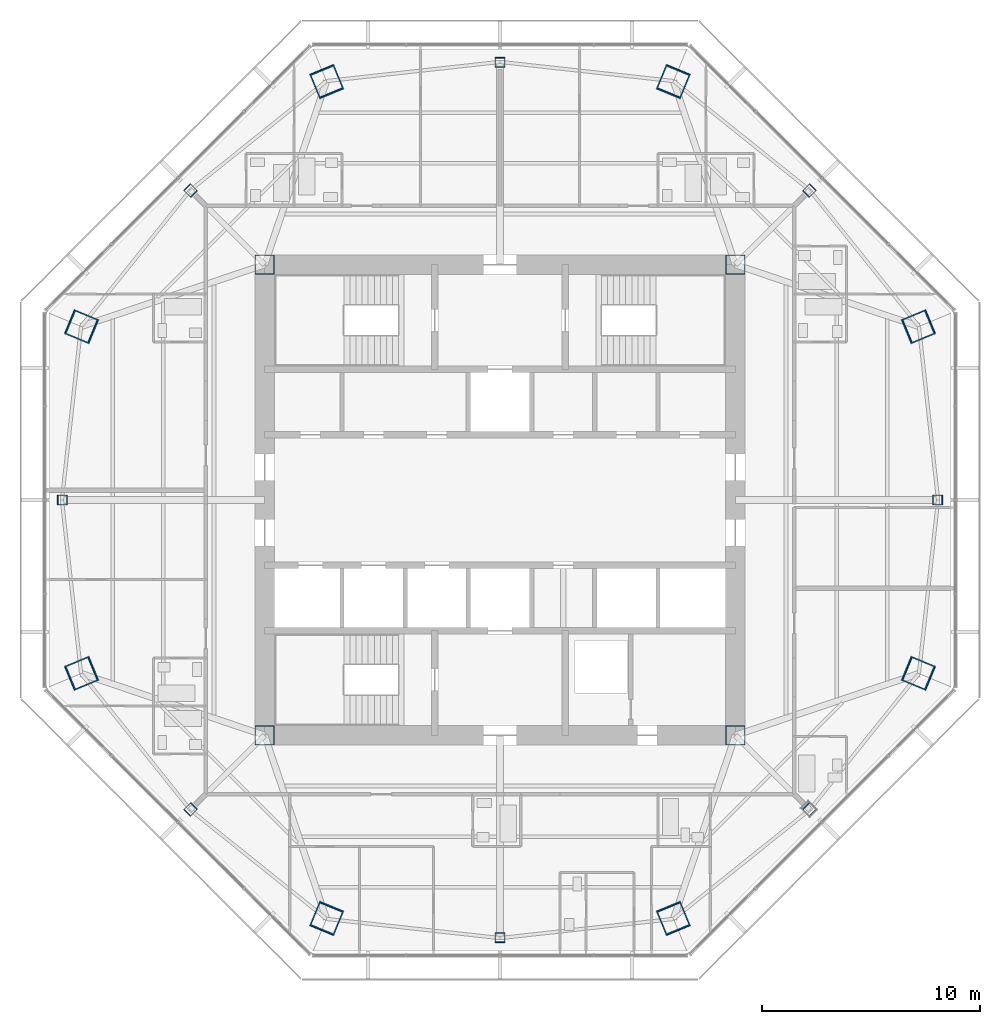
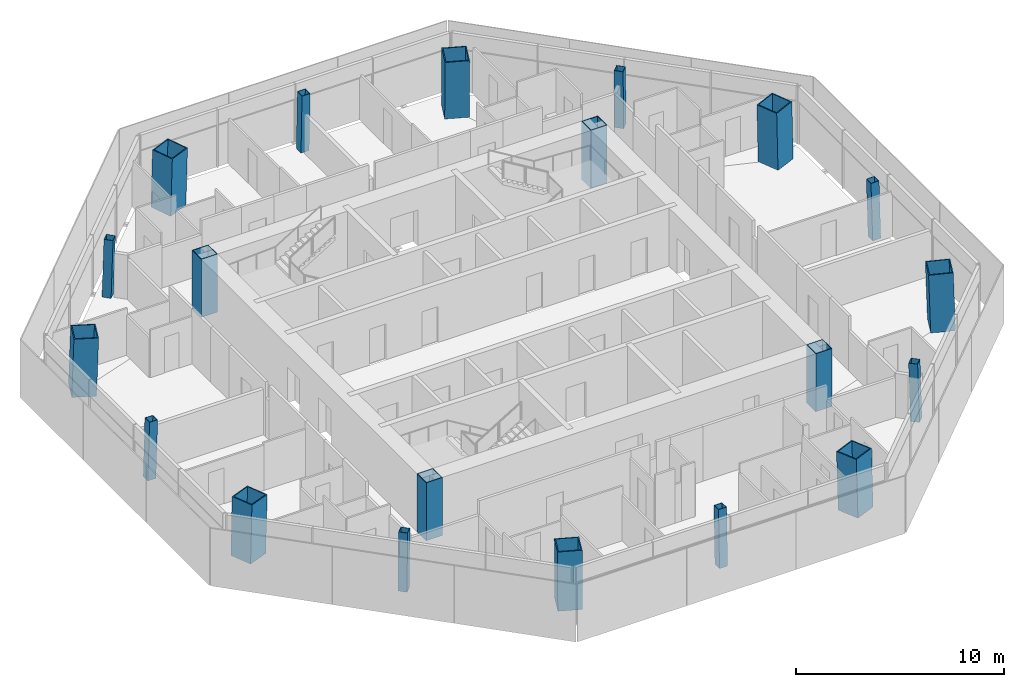
# One storey, part 1 of 14: 20 columns.
"""IFC4 building model written with IfcOpenShell, lengths in metres."""

from ifc_helpers import new_model, si_unit, direction, frame, origin, origin_2d, place, context, subcontext, project, spatial, hollow_rectangle, extrude, material, material_profile, profile_set, type_object, element, save


model = new_model("IFC4")

# Units and contexts
model_context = context("Model", 3, precision=1e-05, world=origin(), true_north=direction((0.0, 1.0)))
body_context = subcontext(model_context, "Body", "Model", "MODEL_VIEW")
ifc_project = project(units=[si_unit("LENGTHUNIT", "METRE"), si_unit("AREAUNIT", "SQUARE_METRE"), si_unit("VOLUMEUNIT", "CUBIC_METRE"), si_unit("PLANEANGLEUNIT", "RADIAN"), si_unit("MASSUNIT", "GRAM", prefix="KILO")], contexts=[model_context])

# Site, building, storey
site_placement = place(None, origin())
site = spatial("IfcSite", under=ifc_project, at=site_placement, CompositionType="ELEMENT")
building_placement = place(site_placement, origin())
building = spatial("IfcBuilding", under=site, at=building_placement, Name="Mashrafa Tower", CompositionType="ELEMENT")
storey_placement = place(building_placement, frame((0.0, 0.0, 251.60009765625)))
storey = spatial("IfcBuildingStorey", under=building, at=storey_placement, Name="L60", CompositionType="ELEMENT", Elevation=251.60009765625)

# Columns
ifc_material_1 = material(Name="Steel ASTM A572 Gr 50", Category="steel")
ifc_material_profile_1 = material_profile(ifc_material_1, hollow_rectangle(XDim=0.89990234375, YDim=0.89990234375, WallThickness=0.0400390625, at=origin_2d()), Name="BOX900X900X40")
ifc_profile_set_1 = profile_set([ifc_material_profile_1], Name="Steel ASTM A572 Gr 50")
column_type_1 = type_object("IfcColumnType", Name="Core corner column BOX900X900X40", PredefinedType="COLUMN", material=ifc_profile_set_1)
for number, where, z_axis, x_axis, name in (
    (1, (10.800048828125, 10.800048828125, 0.0), (0.0, 0.0, 1.0), (1.0, 0.0, 0.0), "Core corner column CC-NE L60"),
    (2, (-10.800048828125, 10.800048828125, 0.0), (0.0, 0.0, 1.0), (1.0, 0.0, 0.0), "Core corner column CC-NW L60"),
    (3, (-10.800048828125, -10.800048828125, 0.0), (0.0, 0.0, 1.0), (1.0, 0.0, 0.0), "Core corner column CC-SW L60"),
    (4, (10.800048828125, -10.800048828125, 0.0), (0.0, 0.0, 1.0), (1.0, 0.0, 0.0), "Core corner column CC-SE L60"),
):
    element("IfcColumn", number, at=place(storey_placement, frame(where, z_axis=z_axis, x_axis=x_axis)), inside=storey, type_object=column_type_1, Name=name, PredefinedType="COLUMN", context=body_context, shape_type="SweptSolid", body=[
        extrude(hollow_rectangle(XDim=0.89990234375, YDim=0.89990234375, WallThickness=0.0400390625, at=origin_2d()), origin(), (0.0, 0.0, 1.0), 3.39990234375),
    ])
ifc_material_2 = material(Name="Steel ASTM A572 Gr 50", Category="steel")
ifc_material_profile_2 = material_profile(ifc_material_2, hollow_rectangle(XDim=1.199951171875, YDim=1.199951171875, WallThickness=0.054931640625, at=origin_2d()), Name="BOX1200X1200X55")
ifc_profile_set_2 = profile_set([ifc_material_profile_2], Name="Steel ASTM A572 Gr 50")
column_type_2 = type_object("IfcColumnType", Name="Mega column CFST BOX1200X1200X55", PredefinedType="COLUMN", material=ifc_profile_set_2)
for number, where, z_axis, x_axis, name in (
    (5, (19.218994140625, 7.960693359375, 0.0), (-0.02827915051, -0.01169924247, 0.999531598986), (0.382282742426, -0.924045401938, 0.0), "Mega column MC1 L60"),
    (6, (7.960693359375, 19.218994140625, 0.0), (-0.01169924247, -0.02827915051, 0.999531598986), (0.924045401938, -0.382282742426, 0.0), "Mega column MC2 L60"),
    (7, (-7.960693359375, 19.218994140625, 0.0), (0.01169924247, -0.02827915051, 0.999531598986), (0.924045401938, 0.382282742426, 0.0), "Mega column MC3 L60"),
    (8, (-19.218994140625, 7.960693359375, 0.0), (0.02827915051, -0.01169924247, 0.999531598986), (0.382282742426, 0.924045401938, 0.0), "Mega column MC4 L60"),
    (9, (-19.218994140625, -7.960693359375, 0.0), (0.02827915051, 0.01169924247, 0.999531598986), (-0.382282742426, 0.924045401938, 0.0), "Mega column MC5 L60"),
    (10, (-7.960693359375, -19.218994140625, 0.0), (0.01169924247, 0.02827915051, 0.999531598986), (-0.924045401938, 0.382282742426, 0.0), "Mega column MC6 L60"),
    (11, (7.960693359375, -19.218994140625, 0.0), (-0.01169924247, 0.02827915051, 0.999531598986), (-0.924045401938, -0.382282742426, 0.0), "Mega column MC7 L60"),
    (12, (19.218994140625, -7.960693359375, 0.0), (-0.02827915051, 0.01169924247, 0.999531598986), (-0.382282742426, -0.924045401938, 0.0), "Mega column MC8 L60"),
):
    element("IfcColumn", number, at=place(storey_placement, frame(where, z_axis=z_axis, x_axis=x_axis)), inside=storey, type_object=column_type_2, Name=name, PredefinedType="COLUMN", context=body_context, shape_type="SweptSolid", body=[
        extrude(hollow_rectangle(XDim=1.199951171875, YDim=1.199951171875, WallThickness=0.054931640625, at=origin_2d()), origin(), (0.0, 0.0, 1.0), 3.401611328125),
    ])
ifc_material_3 = material(Name="Steel ASTM A572 Gr 50", Category="steel")
ifc_material_profile_3 = material_profile(ifc_material_3, hollow_rectangle(XDim=0.449951171875, YDim=0.449951171875, WallThickness=0.02001953125, at=origin_2d()), Name="BOX450X450X20")
ifc_profile_set_3 = profile_set([ifc_material_profile_3], Name="Steel ASTM A572 Gr 50")
column_type_3 = type_object("IfcColumnType", Name="Secondary column BOX450X450X20", PredefinedType="COLUMN", material=ifc_profile_set_3)
for number, where, z_axis, x_axis, name in (
    (13, (20.097412109375, 0.0, 0.0), (-0.028281086024, 0.0, 0.999600010091), (0.0, -1.0, 0.0), "Secondary column SC1 L60"),
    (14, (14.2109375, 14.2109375, 0.0), (-0.020026431307, -0.020026431307, 0.999598861593), (0.707106781187, -0.707106781187, 0.0), "Secondary column SC2 L60"),
    (15, (0.0, 20.097412109375, 0.0), (0.0, -0.028281086024, 0.999600010091), (1.0, 0.0, 0.0), "Secondary column SC3 L60"),
    (16, (-14.2109375, 14.2109375, 0.0), (0.020026431307, -0.020026431307, 0.999598861593), (0.707106781187, 0.707106781187, 0.0), "Secondary column SC4 L60"),
    (17, (-20.097412109375, 0.0, 0.0), (0.028281086024, 0.0, 0.999600010091), (0.0, 1.0, 0.0), "Secondary column SC5 L60"),
    (18, (-14.2109375, -14.2109375, 0.0), (0.020026431307, 0.020026431307, 0.999598861593), (-0.707106781187, 0.707106781187, 0.0), "Secondary column SC6 L60"),
    (19, (0.0, -20.097412109375, 0.0), (0.0, 0.028281086024, 0.999600010091), (-1.0, 0.0, 0.0), "Secondary column SC7 L60"),
    (20, (14.2109375, -14.2109375, 0.0), (-0.020026431307, 0.020026431307, 0.999598861593), (-0.707106781187, -0.707106781187, 0.0), "Secondary column SC8 L60"),
):
    element("IfcColumn", number, at=place(storey_placement, frame(where, z_axis=z_axis, x_axis=x_axis)), inside=storey, type_object=column_type_3, Name=name, PredefinedType="COLUMN", context=body_context, shape_type="SweptSolid", body=[
        extrude(hollow_rectangle(XDim=0.449951171875, YDim=0.449951171875, WallThickness=0.02001953125, at=origin_2d()), origin(), (0.0, 0.0, 1.0), 3.4013671875),
    ])

save(model, "model.ifc")
